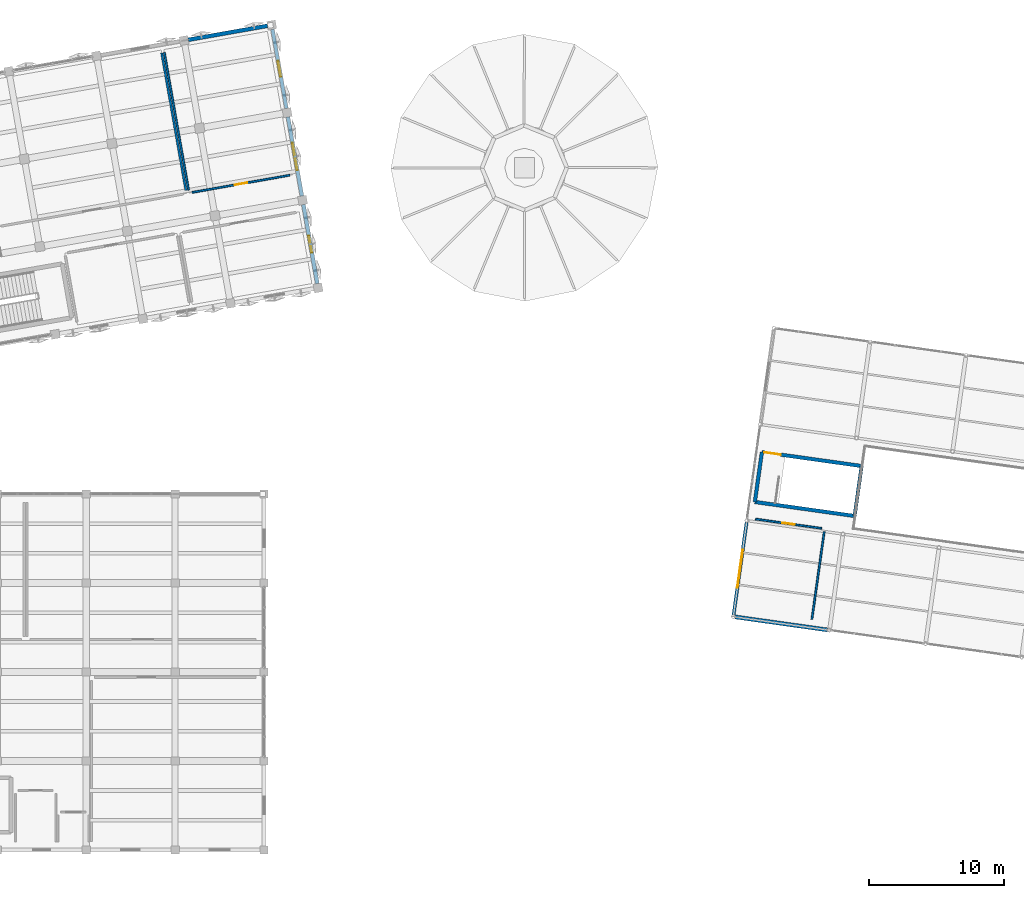
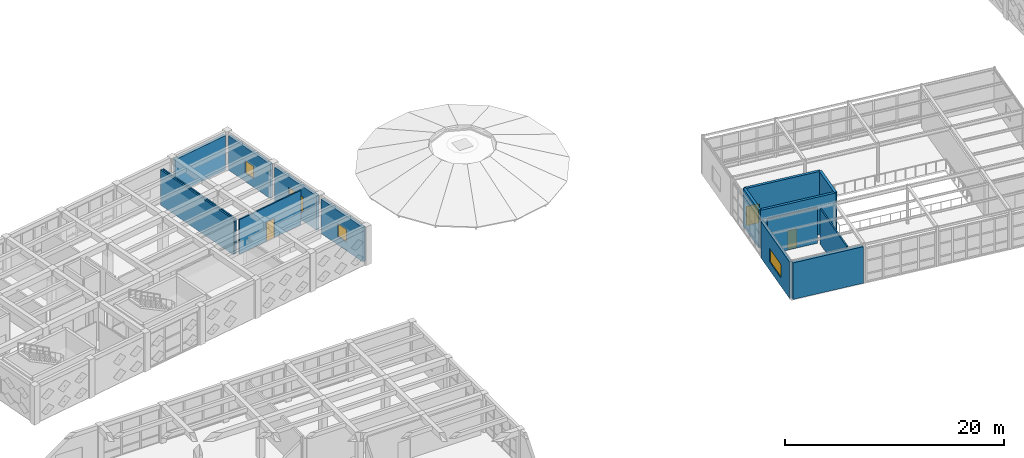
# One storey, part 57 of 67: 15 walls, 4 windows, 3 doors, 7 openings.
"""IFC4 building model written with IfcOpenShell, lengths in metres."""

from ifc_helpers import new_model, si_unit, direction, frame, frame_2d, origin, place, context, subcontext, project, spatial, rectangle, extrude, material, layer, layer_set, type_object, element, fill, save


model = new_model("IFC4")

# Units and contexts
model_context = context("Model", 3, precision=1e-05, world=origin(), true_north=direction((0.0, 1.0)))
body_context = subcontext(model_context, "Body", "Model", "MODEL_VIEW")
ifc_project = project(units=[si_unit("LENGTHUNIT", "METRE"), si_unit("AREAUNIT", "SQUARE_METRE"), si_unit("VOLUMEUNIT", "CUBIC_METRE"), si_unit("PLANEANGLEUNIT", "RADIAN"), si_unit("MASSUNIT", "GRAM", prefix="KILO")], contexts=[model_context])

# Site, building, storey
site_placement = place(None, origin())
site = spatial("IfcSite", under=ifc_project, at=site_placement, CompositionType="ELEMENT")
building_placement = place(site_placement, origin())
building = spatial("IfcBuilding", under=site, at=building_placement, Name="Kharisveld Research Institute", CompositionType="ELEMENT")
storey_placement = place(building_placement, frame((0.0, 0.0, 9.60009765625)))
storey = spatial("IfcBuildingStorey", under=building, at=storey_placement, Name="L02", CompositionType="ELEMENT", Elevation=9.60009765625)

# Wall
ifc_material_1 = material(Name="Concrete C40/50", Category="concrete")
ifc_layer_1 = layer(ifc_material_1, 0.27001953125)
ifc_layer_set_1 = layer_set([ifc_layer_1], Name="WL_CORE_270")
wall_type_1 = type_object("IfcWallType", Name="WL_CORE_270", PredefinedType="SHEAR", material=ifc_layer_set_1)
wall_1_placement = place(storey_placement, frame((76.599853515625, 26.01025390625, 0.0), z_axis=(0.0, 0.0, 1.0), x_axis=(0.139172815303, 0.990268108888, 0.0)))
element("IfcWall", 1, at=wall_1_placement, inside=storey, type_object=wall_type_1, Name="WL:STR:ST5:L02:W", PredefinedType="SHEAR", context=body_context, shape_type="SweptSolid", body=[
    extrude(rectangle(XDim=3.739990234375, YDim=0.27001953125, at=frame_2d((1.8701171875, 0.0))), origin(), (0.0, 0.0, 1.0), 4.25),
])

# Wall, opening, door
wall_2_placement = place(storey_placement, frame((77.120361328125, 29.7138671875, 0.0), z_axis=(0.0, 0.0, 1.0), x_axis=(0.990265308789, -0.139192737628, 0.0)))
wall_2 = element("IfcWall", 2, at=wall_2_placement, inside=storey, type_object=wall_type_1, Name="WL:STR:ST5:L02:N", PredefinedType="SHEAR", context=body_context, shape_type="SweptSolid", body=[
    extrude(rectangle(XDim=7.47021484375, YDim=0.27001953125, at=frame_2d((3.735107421875, 0.0))), origin(), (0.0, 0.0, 1.0), 4.25),
])
opening_1_placement = place(wall_2_placement, frame((0.179931640625, 0.0, 0.0)))
opening_1 = element("IfcOpeningElement", 3, at=opening_1_placement, cuts=wall_2, Name="Opening DS-045", PredefinedType="OPENING", context=body_context, shape_type="SweptSolid", body=[
    extrude(rectangle(XDim=1.239990234375, YDim=2.14990234375, at=frame_2d((0.6201171875, 1.074951171875))), frame((0.0, 0.135009765625, 0.0), z_axis=(0.0, -1.0, 0.0), x_axis=(1.0, 0.0, 0.0)), (0.0, 0.0, 1.0), 0.27001953125),
])
ifc_material_2 = material(Name="Flush Painted Hardwood and Anodised Aluminium", Category="wood")
door_type_1 = type_object("IfcDoorType", Name="DR_FD60_124", OperationType="NOTDEFINED", PredefinedType="DOOR", material=ifc_material_2)
door_1_placement = place(opening_1_placement, origin())
door_1 = element("IfcDoor", 4, at=door_1_placement, inside=storey, type_object=door_type_1, Name="DR:STR:ST5:L02", OperationType="SINGLE_SWING_RIGHT", OverallHeight=2.14990234375, OverallWidth=1.239990234375, PredefinedType="DOOR", context=body_context, shape_type="SweptSolid", body=[
    extrude(rectangle(XDim=1.239990234375, YDim=2.14990234375, at=frame_2d((0.6201171875, 1.074951171875))), frame((0.0, 0.02490234375, 0.0), z_axis=(0.0, -1.0, 0.0), x_axis=(1.0, 0.0, 0.0)), (0.0, 0.0, 1.0), 0.050048828125),
])
fill(opening_1, door_1)

# Walls
wall_3_placement = place(storey_placement, frame((84.517822265625, 28.674072265625, 0.0), z_axis=(0.0, 0.0, 1.0), x_axis=(-0.139172815303, -0.990268108888, 0.0)))
element("IfcWall", 5, at=wall_3_placement, inside=storey, type_object=wall_type_1, Name="WL:STR:ST5:L02:E", PredefinedType="SHEAR", context=body_context, shape_type="SweptSolid", body=[
    extrude(rectangle(XDim=3.739990234375, YDim=0.27001953125, at=frame_2d((1.8701171875, 0.0))), origin(), (0.0, 0.0, 1.0), 4.25),
])
wall_4_placement = place(storey_placement, frame((83.997314453125, 24.970458984375, 0.0), z_axis=(0.0, 0.0, 1.0), x_axis=(-0.990265308789, 0.139192737628, 0.0)))
element("IfcWall", 6, at=wall_4_placement, inside=storey, type_object=wall_type_1, Name="WL:STR:ST5:L02:S", PredefinedType="SHEAR", context=body_context, shape_type="SweptSolid", body=[
    extrude(rectangle(XDim=7.47021484375, YDim=0.27001953125, at=frame_2d((3.735107421875, 0.0))), origin(), (0.0, 0.0, 1.0), 4.25),
])

# Wall, opening, window
ifc_material_3 = material(Name="Lightweight Acoustic Spandrel", Category="mineral")
ifc_layer_2 = layer(ifc_material_3, 0.2451171875)
ifc_layer_set_2 = layer_set([ifc_layer_2], Name="WL_EXT_245")
wall_type_2 = type_object("IfcWallType", Name="WL_EXT_245", PredefinedType="STANDARD", material=ifc_layer_set_2)
wall_5_placement = place(storey_placement, frame((75.018310546875, 17.630126953125, 0.0), z_axis=(0.0, 0.0, 1.0), x_axis=(0.139154533409, 0.990270678063, 0.0)))
wall_5 = element("IfcWall", 7, at=wall_5_placement, inside=storey, type_object=wall_type_2, Name="WL:V4:L02:W0", PredefinedType="STANDARD", context=body_context, shape_type="SweptSolid", body=[
    extrude(rectangle(XDim=6.93701171875, YDim=0.2451171875, at=frame_2d((3.468505859375, 0.0))), origin(), (0.0, 0.0, 1.0), 4.08984375),
])
opening_2_placement = place(wall_5_placement, frame((2.04345703125, 0.0, 0.949951171875)))
opening_2 = element("IfcOpeningElement", 8, at=opening_2_placement, cuts=wall_5, Name="Opening WN-18", PredefinedType="OPENING", context=body_context, shape_type="SweptSolid", body=[
    extrude(rectangle(XDim=2.85009765625, YDim=1.5, at=frame_2d((1.425048828125, 0.75))), frame((0.0, 0.12255859375, 0.0), z_axis=(0.0, -1.0, 0.0), x_axis=(1.0, 0.0, 0.0)), (0.0, 0.0, 1.0), 0.2451171875),
])
ifc_material_4 = material(Name="Low-E Double Glazing", Category="glass")
window_type_1 = type_object("IfcWindowType", Name="WN_18", PartitioningType="TRIPLE_PANEL_VERTICAL", PredefinedType="WINDOW", material=ifc_material_4)
window_1_placement = place(opening_2_placement, origin())
window_1 = element("IfcWindow", 9, at=window_1_placement, inside=storey, type_object=window_type_1, Name="WN:V4:L02:W0", OverallHeight=1.5, OverallWidth=2.85009765625, PartitioningType="SINGLE_PANEL", PredefinedType="WINDOW", context=body_context, shape_type="SweptSolid", body=[
    extrude(rectangle(XDim=2.85009765625, YDim=1.5, at=frame_2d((1.425048828125, 0.75))), frame((0.0, 0.030029296875, 0.0), z_axis=(0.0, -1.0, 0.0), x_axis=(1.0, 0.0, 0.0)), (0.0, 0.0, 1.0), 0.06005859375),
])
fill(opening_2, window_1)

ifc_material_5 = material(Name="Precast Concrete C40/50 Thermal Wall", Category="concrete")
ifc_layer_3 = layer(ifc_material_5, 0.260009765625)
ifc_layer_set_3 = layer_set([ifc_layer_3], Name="WL_EXT_260")
wall_type_3 = type_object("IfcWallType", Name="WL_EXT_260", PredefinedType="STANDARD", material=ifc_layer_set_3)
wall_6_placement = place(storey_placement, frame((40.815673828125, 61.070556640625, 0.0), z_axis=(0.0, 0.0, 1.0), x_axis=(0.173645120828, -0.98480829201, 0.0)))
wall_6 = element("IfcWall", 10, at=wall_6_placement, inside=storey, type_object=wall_type_3, Name="WL:V1:L02:E3", PredefinedType="STANDARD", context=body_context, shape_type="SweptSolid", body=[
    extrude(rectangle(XDim=5.9599609375, YDim=0.260009765625, at=frame_2d((2.97998046875, 0.0))), origin(), (0.0, 0.0, 1.0), 3.85498046875),
])
opening_3_placement = place(wall_6_placement, frame((2.385009765625, 0.0, 0.949951171875)))
opening_3 = element("IfcOpeningElement", 11, at=opening_3_placement, cuts=wall_6, Name="Opening WN-21", PredefinedType="OPENING", context=body_context, shape_type="SweptSolid", body=[
    extrude(rectangle(XDim=1.18994140625, YDim=1.3798828125, at=frame_2d((0.594970703125, 0.68994140625))), frame((0.0, 0.1298828125, 0.0), z_axis=(0.0, -1.0, 0.0), x_axis=(1.0, 0.0, 0.0)), (0.0, 0.0, 1.0), 0.260009765625),
])
ifc_material_6 = material(Name="Low-E Double Glazing", Category="glass")
window_type_2 = type_object("IfcWindowType", Name="WN_21", PartitioningType="DOUBLE_PANEL_VERTICAL", PredefinedType="WINDOW", material=ifc_material_6)
window_2_placement = place(opening_3_placement, origin())
window_2 = element("IfcWindow", 12, at=window_2_placement, inside=storey, type_object=window_type_2, Name="WN:V1:L02:E3", OverallHeight=1.3798828125, OverallWidth=1.18994140625, PartitioningType="SINGLE_PANEL", PredefinedType="WINDOW", context=body_context, shape_type="SweptSolid", body=[
    extrude(rectangle(XDim=1.18994140625, YDim=1.3798828125, at=frame_2d((0.594970703125, 0.68994140625))), frame((0.0, 0.030029296875, 0.0), z_axis=(0.0, -1.0, 0.0), x_axis=(1.0, 0.0, 0.0)), (0.0, 0.0, 1.0), 0.06005859375),
])
fill(opening_3, window_2)

ifc_material_7 = material(Name="Precast Concrete C40/50 Thermal Wall", Category="concrete")
ifc_layer_4 = layer(ifc_material_7, 0.27490234375)
ifc_layer_set_4 = layer_set([ifc_layer_4], Name="WL_EXT_275")
wall_type_4 = type_object("IfcWallType", Name="WL_EXT_275", PredefinedType="STANDARD", material=ifc_layer_set_4)
wall_7_placement = place(storey_placement, frame((41.9619140625, 54.57080078125, 0.0), z_axis=(0.0, 0.0, 1.0), x_axis=(0.173645120828, -0.98480829201, 0.0)))
wall_7 = element("IfcWall", 13, at=wall_7_placement, inside=storey, type_object=wall_type_4, Name="WL:V1:L02:E2", PredefinedType="STANDARD", context=body_context, shape_type="SweptSolid", body=[
    extrude(rectangle(XDim=5.9599609375, YDim=0.27490234375, at=frame_2d((2.97998046875, 0.0))), origin(), (0.0, 0.0, 1.0), 3.85498046875),
])
opening_4_placement = place(wall_7_placement, frame((1.955078125, 0.0, 0.949951171875)))
opening_4 = element("IfcOpeningElement", 14, at=opening_4_placement, cuts=wall_7, Name="Opening WN-20", PredefinedType="OPENING", context=body_context, shape_type="SweptSolid", body=[
    extrude(rectangle(XDim=2.050048828125, YDim=1.699951171875, at=frame_2d((1.02490234375, 0.85009765625))), frame((0.0, 0.137451171875, 0.0), z_axis=(0.0, -1.0, 0.0), x_axis=(1.0, 0.0, 0.0)), (0.0, 0.0, 1.0), 0.27490234375),
])
ifc_material_8 = material(Name="Low-E Double Glazing", Category="glass")
window_type_3 = type_object("IfcWindowType", Name="WN_20", PartitioningType="DOUBLE_PANEL_VERTICAL", PredefinedType="WINDOW", material=ifc_material_8)
window_3_placement = place(opening_4_placement, origin())
window_3 = element("IfcWindow", 15, at=window_3_placement, inside=storey, type_object=window_type_3, Name="WN:V1:L02:E2", OverallHeight=1.699951171875, OverallWidth=2.050048828125, PartitioningType="SINGLE_PANEL", PredefinedType="WINDOW", context=body_context, shape_type="SweptSolid", body=[
    extrude(rectangle(XDim=2.050048828125, YDim=1.699951171875, at=frame_2d((1.02490234375, 0.85009765625))), frame((0.0, 0.030029296875, 0.0), z_axis=(0.0, -1.0, 0.0), x_axis=(1.0, 0.0, 0.0)), (0.0, 0.0, 1.0), 0.06005859375),
])
fill(opening_4, window_3)

# Wall
ifc_material_9 = material(Name="Precast Concrete C40/50 Thermal Wall", Category="concrete")
ifc_layer_5 = layer(ifc_material_9, 0.2900390625)
ifc_layer_set_5 = layer_set([ifc_layer_5], Name="WL_EXT_290")
wall_type_5 = type_object("IfcWallType", Name="WL_EXT_290", PredefinedType="STANDARD", material=ifc_layer_set_5)
wall_8_placement = place(storey_placement, frame((34.575439453125, 60.295166015625, 0.0), z_axis=(0.0, 0.0, 1.0), x_axis=(0.984809527099, 0.173638116021, 0.0)))
element("IfcWall", 16, at=wall_8_placement, inside=storey, type_object=wall_type_5, Name="WL:V1:L02:N5", PredefinedType="STANDARD", context=body_context, shape_type="SweptSolid", body=[
    extrude(rectangle(XDim=5.960205078125, YDim=0.2900390625, at=frame_2d((2.97998046875, 0.0))), origin(), (0.0, 0.0, 1.0), 3.85498046875),
])

# Wall, opening, window
wall_9_placement = place(storey_placement, frame((43.10791015625, 48.071044921875, 0.0), z_axis=(0.0, 0.0, 1.0), x_axis=(0.173645120828, -0.98480829201, 0.0)))
wall_9 = element("IfcWall", 17, at=wall_9_placement, inside=storey, type_object=wall_type_5, Name="WL:V1:L02:E1", PredefinedType="STANDARD", context=body_context, shape_type="SweptSolid", body=[
    extrude(rectangle(XDim=5.9599609375, YDim=0.2900390625, at=frame_2d((2.97998046875, 0.0))), origin(), (0.0, 0.0, 1.0), 3.85498046875),
])
opening_5_placement = place(wall_9_placement, frame((2.340087890625, 0.0, 0.949951171875)))
opening_5 = element("IfcOpeningElement", 18, at=opening_5_placement, cuts=wall_9, Name="Opening WN-19", PredefinedType="OPENING", context=body_context, shape_type="SweptSolid", body=[
    extrude(rectangle(XDim=1.280029296875, YDim=1.419921875, at=frame_2d((0.64013671875, 0.7099609375))), frame((0.0, 0.14501953125, 0.0), z_axis=(0.0, -1.0, 0.0), x_axis=(1.0, 0.0, 0.0)), (0.0, 0.0, 1.0), 0.2900390625),
])
ifc_material_10 = material(Name="Low-E Double Glazing", Category="glass")
window_type_4 = type_object("IfcWindowType", Name="WN_19", PartitioningType="SINGLE_PANEL", PredefinedType="WINDOW", material=ifc_material_10)
window_4_placement = place(opening_5_placement, origin())
window_4 = element("IfcWindow", 19, at=window_4_placement, inside=storey, type_object=window_type_4, Name="WN:V1:L02:E1", OverallHeight=1.419921875, OverallWidth=1.280029296875, PartitioningType="SINGLE_PANEL", PredefinedType="WINDOW", context=body_context, shape_type="SweptSolid", body=[
    extrude(rectangle(XDim=1.280029296875, YDim=1.419921875, at=frame_2d((0.64013671875, 0.7099609375))), frame((0.0, 0.030029296875, 0.0), z_axis=(0.0, -1.0, 0.0), x_axis=(1.0, 0.0, 0.0)), (0.0, 0.0, 1.0), 0.06005859375),
])
fill(opening_5, window_4)

# Walls
ifc_material_11 = material(Name="Precast Concrete C40/50 Ochre Panel", Category="concrete")
ifc_layer_6 = layer(ifc_material_11, 0.304931640625)
ifc_layer_set_6 = layer_set([ifc_layer_6], Name="WL_EXT_305")
wall_type_6 = type_object("IfcWallType", Name="WL_EXT_305", PredefinedType="STANDARD", material=ifc_layer_set_6)
wall_10_placement = place(storey_placement, frame((81.999755859375, 16.516357421875, 0.0), z_axis=(0.0, 0.0, 1.0), x_axis=(-0.990270678063, 0.139154533409, 0.0)))
element("IfcWall", 20, at=wall_10_placement, inside=storey, type_object=wall_type_6, Name="WL:V4:L02:S1", PredefinedType="STANDARD", context=body_context, shape_type="SweptSolid", body=[
    extrude(rectangle(XDim=6.93701171875, YDim=0.304931640625, at=frame_2d((3.468505859375, 0.0))), origin(), (0.0, 0.0, 1.0), 4.08984375),
])
ifc_material_12 = material(Name="Acoustic Drywall Partition", Category="mineral")
ifc_layer_7 = layer(ifc_material_12, 0.1650390625)
ifc_layer_set_7 = layer_set([ifc_layer_7], Name="WL_LAB_165")
wall_type_7 = type_object("IfcWallType", Name="WL_LAB_165", PredefinedType="PARTITIONING", material=ifc_layer_set_7)
wall_11_placement = place(storey_placement, frame((34.39453125, 49.11376953125, 0.0), z_axis=(0.0, 0.0, 1.0), x_axis=(-0.173654930775, 0.984806562233, 0.0)))
element("IfcWall", 21, at=wall_11_placement, inside=storey, type_object=wall_type_7, Name="WL:RM:V1:L02:N2:E", PredefinedType="PARTITIONING", context=body_context, shape_type="SweptSolid", body=[
    extrude(rectangle(XDim=10.360107421875, YDim=0.1650390625, at=frame_2d((5.18017578125, 0.0))), origin(), (0.0, 0.0, 1.0), 3.949951171875),
])

# Wall, opening, door
ifc_material_13 = material(Name="Insulated Stud Partition", Category="mineral")
ifc_layer_8 = layer(ifc_material_13, 0.139892578125)
ifc_layer_set_8 = layer_set([ifc_layer_8], Name="WL_OFF_140")
wall_type_8 = type_object("IfcWallType", Name="WL_OFF_140", PredefinedType="PARTITIONING", material=ifc_layer_set_8)
wall_12_placement = place(storey_placement, frame((34.84619140625, 48.97021484375, 0.0), z_axis=(0.0, 0.0, 1.0), x_axis=(0.984813264726, 0.173616916285, 0.0)))
wall_12 = element("IfcWall", 22, at=wall_12_placement, inside=storey, type_object=wall_type_8, Name="WL:RM:V1:L02:N3:S", PredefinedType="PARTITIONING", context=body_context, shape_type="SweptSolid", body=[
    extrude(rectangle(XDim=7.360107421875, YDim=0.139892578125, at=frame_2d((3.68017578125, 0.0))), origin(), (0.0, 0.0, 1.0), 3.85498046875),
])
opening_6_placement = place(wall_12_placement, frame((3.2099609375, 0.0, 0.0)))
opening_6 = element("IfcOpeningElement", 23, at=opening_6_placement, cuts=wall_12, Name="Opening DI-088", PredefinedType="OPENING", context=body_context, shape_type="SweptSolid", body=[
    extrude(rectangle(XDim=0.93994140625, YDim=2.1201171875, at=frame_2d((0.469970703125, 1.06005859375))), frame((0.0, 0.06982421875, 0.0), z_axis=(0.0, -1.0, 0.0), x_axis=(1.0, 0.0, 0.0)), (0.0, 0.0, 1.0), 0.139892578125),
])
ifc_material_14 = material(Name="Flush Painted Hardwood and Anodised Aluminium", Category="wood")
door_type_2 = type_object("IfcDoorType", Name="DR_OFF_094", OperationType="NOTDEFINED", PredefinedType="DOOR", material=ifc_material_14)
door_2_placement = place(opening_6_placement, origin())
door_2 = element("IfcDoor", 24, at=door_2_placement, inside=storey, type_object=door_type_2, Name="DR:RM:V1:L02:N3:S", OperationType="SINGLE_SWING_RIGHT", OverallHeight=2.1201171875, OverallWidth=0.93994140625, PredefinedType="DOOR", context=body_context, shape_type="SweptSolid", body=[
    extrude(rectangle(XDim=0.93994140625, YDim=2.1201171875, at=frame_2d((0.469970703125, 1.06005859375))), frame((0.0, 0.02490234375, 0.0), z_axis=(0.0, -1.0, 0.0), x_axis=(1.0, 0.0, 0.0)), (0.0, 0.0, 1.0), 0.050048828125),
])
fill(opening_6, door_2)

# Walls
wall_13_placement = place(storey_placement, frame((32.79248046875, 59.35107421875, 0.0), z_axis=(0.0, 0.0, 1.0), x_axis=(0.173632075677, -0.984810592092, 0.0)))
element("IfcWall", 25, at=wall_13_placement, inside=storey, type_object=wall_type_8, Name="WL:RM:V1:L02:N3:W", PredefinedType="PARTITIONING", context=body_context, shape_type="SweptSolid", body=[
    extrude(rectangle(XDim=10.360107421875, YDim=0.139892578125, at=frame_2d((5.18017578125, 0.0))), origin(), (0.0, 0.0, 1.0), 3.949951171875),
])
wall_14_placement = place(storey_placement, frame((80.829833984375, 17.306640625, 0.0), z_axis=(0.0, 0.0, 1.0), x_axis=(0.139185834999, 0.990266279006, 0.0)))
element("IfcWall", 26, at=wall_14_placement, inside=storey, type_object=wall_type_8, Name="WL:RM:V4:L02:CLB:E", PredefinedType="PARTITIONING", context=body_context, shape_type="SweptSolid", body=[
    extrude(rectangle(XDim=6.560302734375, YDim=0.139892578125, at=frame_2d((3.2802734375, 0.0))), origin(), (0.0, 0.0, 1.0), 3.949951171875),
])

# Wall, opening, door
wall_15_placement = place(storey_placement, frame((81.5556640625, 24.051513671875, 0.0), z_axis=(0.0, 0.0, 1.0), x_axis=(-0.990271738652, 0.139146985694, 0.0)))
wall_15 = element("IfcWall", 27, at=wall_15_placement, inside=storey, type_object=wall_type_8, Name="WL:RM:V4:L02:CLB:N", PredefinedType="PARTITIONING", context=body_context, shape_type="SweptSolid", body=[
    extrude(rectangle(XDim=4.960205078125, YDim=0.139892578125, at=frame_2d((2.47998046875, 0.0))), origin(), (0.0, 0.0, 1.0), 3.949951171875),
])
opening_7_placement = place(wall_15_placement, frame((2.010009765625, 0.0, 0.0)))
opening_7 = element("IfcOpeningElement", 28, at=opening_7_placement, cuts=wall_15, Name="Opening DI-308", PredefinedType="OPENING", context=body_context, shape_type="SweptSolid", body=[
    extrude(rectangle(XDim=0.93994140625, YDim=2.1201171875, at=frame_2d((0.469970703125, 1.06005859375))), frame((0.0, 0.06982421875, 0.0), z_axis=(0.0, -1.0, 0.0), x_axis=(1.0, 0.0, 0.0)), (0.0, 0.0, 1.0), 0.139892578125),
])
door_3_placement = place(opening_7_placement, origin())
door_3 = element("IfcDoor", 29, at=door_3_placement, inside=storey, type_object=door_type_2, Name="DR:RM:V4:L02:CLB:N", OperationType="SINGLE_SWING_RIGHT", OverallHeight=2.1201171875, OverallWidth=0.93994140625, PredefinedType="DOOR", context=body_context, shape_type="SweptSolid", body=[
    extrude(rectangle(XDim=0.93994140625, YDim=2.1201171875, at=frame_2d((0.469970703125, 1.06005859375))), frame((0.0, 0.02490234375, 0.0), z_axis=(0.0, -1.0, 0.0), x_axis=(1.0, 0.0, 0.0)), (0.0, 0.0, 1.0), 0.050048828125),
])
fill(opening_7, door_3)

save(model, "model.ifc")
